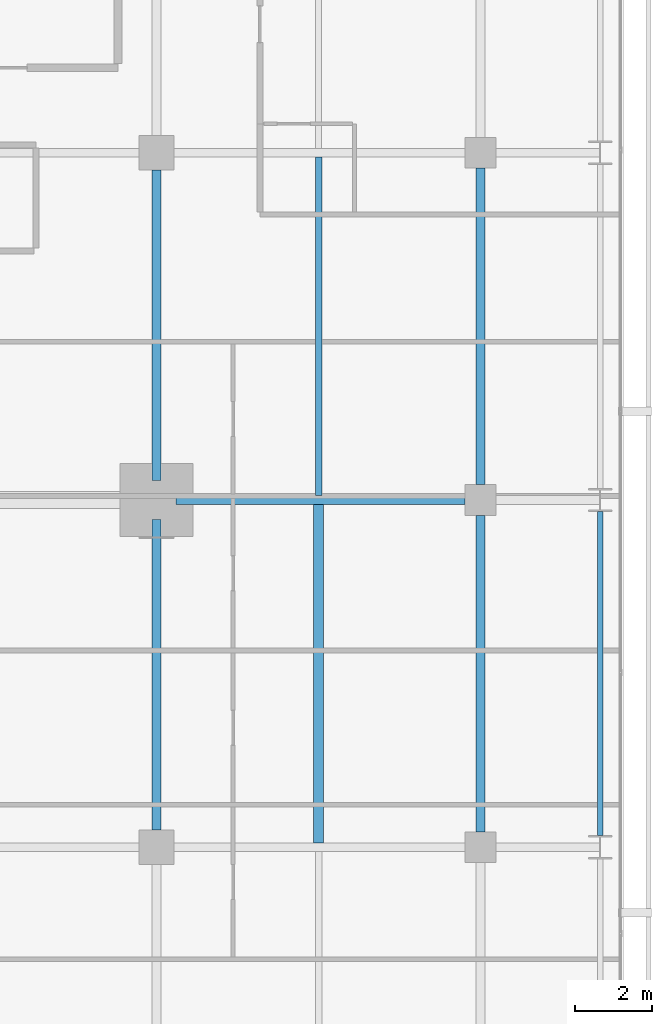
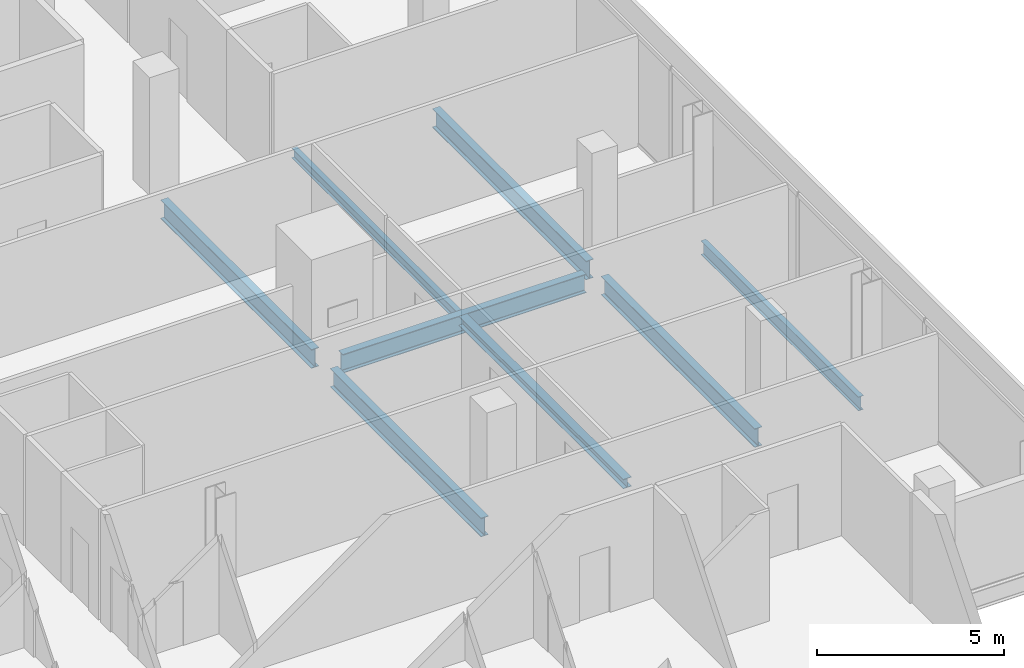
# One storey, part 16 of 34: 8 beams.
"""IFC4 building model written with IfcOpenShell, lengths in metres."""

from ifc_helpers import new_model, si_unit, direction, frame, origin, origin_2d, place, context, subcontext, project, spatial, i_section, extrude, material, material_profile, profile_set, type_object, element, save


model = new_model("IFC4")

# Units and contexts
model_context = context("Model", 3, precision=1e-05, world=origin(), true_north=direction((0.0, 1.0)))
body_context = subcontext(model_context, "Body", "Model", "MODEL_VIEW")
ifc_project = project(units=[si_unit("LENGTHUNIT", "METRE"), si_unit("AREAUNIT", "SQUARE_METRE"), si_unit("VOLUMEUNIT", "CUBIC_METRE"), si_unit("PLANEANGLEUNIT", "RADIAN"), si_unit("MASSUNIT", "GRAM", prefix="KILO")], contexts=[model_context])

# Site, building, storey
site_placement = place(None, origin())
site = spatial("IfcSite", under=ifc_project, at=site_placement, CompositionType="ELEMENT")
building_placement = place(site_placement, origin())
building = spatial("IfcBuilding", under=site, at=building_placement, Name="Maruvema Waterfront Hotel and Observation Tower", CompositionType="ELEMENT")
storey_placement = place(building_placement, frame((0.0, 0.0, 131.25)))
storey = spatial("IfcBuildingStorey", under=building, at=storey_placement, Name="L31", CompositionType="ELEMENT", Elevation=131.25)

# Beams
ifc_material_1 = material(Name="Steel ASTM A572 Grade 50", Category="steel")
ifc_material_profile_1 = material_profile(ifc_material_1, i_section(OverallWidth=0.153076171875, OverallDepth=0.455078125, WebThickness=0.008056640625, FlangeThickness=0.01318359375, FilletRadius=0.014892578125, at=origin_2d()), Name="W460x60.0")
ifc_profile_set_1 = profile_set([ifc_material_profile_1], Name="Steel ASTM A572 Grade 50")
beam_type_1 = type_object("IfcBeamType", Name="Perimeter Spandrel Beam W460x60.0", PredefinedType="SPANDREL", material=ifc_profile_set_1)
beam_1_placement = place(storey_placement, frame((61.89990234375, 18.300048828125, -0.467529296875), z_axis=(0.0, 1.0, 0.0), x_axis=(-1.0, 0.0, 0.0)))
element("IfcBeam", 1, at=beam_1_placement, inside=storey, type_object=beam_type_1, Name="L31 Floor Girder NS-30", PredefinedType="SPANDREL", context=body_context, shape_type="SweptSolid", body=[
    extrude(i_section(OverallWidth=0.153076171875, OverallDepth=0.455078125, WebThickness=0.008056640625, FlangeThickness=0.01318359375, FilletRadius=0.014892578125, at=origin_2d()), origin(), (0.0, 0.0, 1.0), 8.39990234375),
])
ifc_material_2 = material(Name="Steel ASTM A572 Grade 50", Category="steel")
ifc_material_profile_2 = material_profile(ifc_material_2, i_section(OverallWidth=0.22900390625, OverallDepth=0.612060546875, WebThickness=0.011962890625, FlangeThickness=0.01953125, FilletRadius=0.01806640625, at=origin_2d()), Name="W610x125.0")
ifc_profile_set_2 = profile_set([ifc_material_profile_2], Name="Steel ASTM A572 Grade 50")
beam_type_2 = type_object("IfcBeamType", Name="Primary Floor Girder W610x125.0", PredefinedType="BEAM", material=ifc_profile_set_2)
beam_2_placement = place(storey_placement, frame((50.89990234375, 27.0, -0.5458984375), z_axis=(1.0, 0.0, 0.0), x_axis=(0.0, 1.0, 0.0)))
element("IfcBeam", 2, at=beam_2_placement, inside=storey, type_object=beam_type_2, Name="L31 Floor Girder EW-21", PredefinedType="BEAM", context=body_context, shape_type="SweptSolid", body=[
    extrude(i_section(OverallWidth=0.22900390625, OverallDepth=0.612060546875, WebThickness=0.011962890625, FlangeThickness=0.01953125, FilletRadius=0.01806640625, at=origin_2d()), origin(), (0.0, 0.0, 1.0), 7.5),
])
for number, where, z_axis, x_axis, name in (
    (3, (50.39990234375, 18.449951171875, -0.5458984375), (0.0, 1.0, 0.0), (-1.0, 0.0, 0.0), "L31 Floor Girder NS-22"),
    (4, (50.39990234375, 27.5, -0.5458984375), (0.0, 1.0, 0.0), (-1.0, 0.0, 0.0), "L31 Floor Girder NS-23"),
):
    element("IfcBeam", number, at=place(storey_placement, frame(where, z_axis=z_axis, x_axis=x_axis)), inside=storey, type_object=beam_type_2, Name=name, PredefinedType="BEAM", context=body_context, shape_type="SweptSolid", body=[
        extrude(i_section(OverallWidth=0.22900390625, OverallDepth=0.612060546875, WebThickness=0.011962890625, FlangeThickness=0.01953125, FilletRadius=0.01806640625, at=origin_2d()), origin(), (0.0, 0.0, 1.0), 8.050048828125),
    ])
for number, where, z_axis, x_axis, name in (
    (5, (58.800048828125, 18.39990234375, -0.5458984375), (0.0, 1.0, 0.0), (-1.0, 0.0, 0.0), "L31 Floor Girder NS-26"),
    (6, (58.800048828125, 27.39990234375, -0.5458984375), (0.0, 1.0, 0.0), (-1.0, 0.0, 0.0), "L31 Floor Girder NS-27"),
):
    element("IfcBeam", number, at=place(storey_placement, frame(where, z_axis=z_axis, x_axis=x_axis)), inside=storey, type_object=beam_type_2, Name=name, PredefinedType="BEAM", context=body_context, shape_type="SweptSolid", body=[
        extrude(i_section(OverallWidth=0.22900390625, OverallDepth=0.612060546875, WebThickness=0.011962890625, FlangeThickness=0.01953125, FilletRadius=0.01806640625, at=origin_2d()), origin(), (0.0, 0.0, 1.0), 8.2001953125),
    ])
ifc_material_3 = material(Name="Steel ASTM A572 Grade 50", Category="steel")
ifc_material_profile_3 = material_profile(ifc_material_3, i_section(OverallWidth=0.1669921875, OverallDepth=0.31689453125, WebThickness=0.007568359375, FlangeThickness=0.01318359375, FilletRadius=0.012939453125, at=origin_2d()), Name="W310x52.0")
ifc_profile_set_3 = profile_set([ifc_material_profile_3], Name="Steel ASTM A572 Grade 50")
beam_type_3 = type_object("IfcBeamType", Name="Secondary Floor Joist W310x52.0", PredefinedType="JOIST", material=ifc_profile_set_3)
beam_3_placement = place(storey_placement, frame((54.60009765625, 27.114501953125, -0.3984375), z_axis=(0.0, 1.0, 0.0), x_axis=(-1.0, 0.0, 0.0)))
element("IfcBeam", 7, at=beam_3_placement, inside=storey, type_object=beam_type_3, Name="L31 Secondary Floor Joist JS-13", PredefinedType="JOIST", context=body_context, shape_type="SweptSolid", body=[
    extrude(i_section(OverallWidth=0.1669921875, OverallDepth=0.31689453125, WebThickness=0.007568359375, FlangeThickness=0.01318359375, FilletRadius=0.012939453125, at=origin_2d()), origin(), (0.0, 0.0, 1.0), 8.77099609375),
])
ifc_material_4 = material(Name="Steel ASTM A572 Grade 50", Category="steel")
ifc_material_profile_4 = material_profile(ifc_material_4, i_section(OverallWidth=0.25390625, OverallDepth=0.305908203125, WebThickness=0.0087890625, FlangeThickness=0.0146484375, FilletRadius=0.014892578125, at=origin_2d()), Name="W310x79.0")
ifc_profile_set_4 = profile_set([ifc_material_profile_4], Name="Steel ASTM A572 Grade 50")
beam_type_4 = type_object("IfcBeamType", Name="Secondary Floor Joist W310x79.0", PredefinedType="JOIST", material=ifc_profile_set_4)
beam_4_placement = place(storey_placement, frame((54.60009765625, 18.114501953125, -0.39306640625), z_axis=(0.0, 1.0, 0.0), x_axis=(-1.0, 0.0, 0.0)))
element("IfcBeam", 8, at=beam_4_placement, inside=storey, type_object=beam_type_4, Name="L31 Secondary Floor Joist JS-12", PredefinedType="JOIST", context=body_context, shape_type="SweptSolid", body=[
    extrude(i_section(OverallWidth=0.25390625, OverallDepth=0.305908203125, WebThickness=0.0087890625, FlangeThickness=0.0146484375, FilletRadius=0.014892578125, at=origin_2d()), origin(), (0.0, 0.0, 1.0), 8.77099609375),
])

save(model, "model.ifc")
